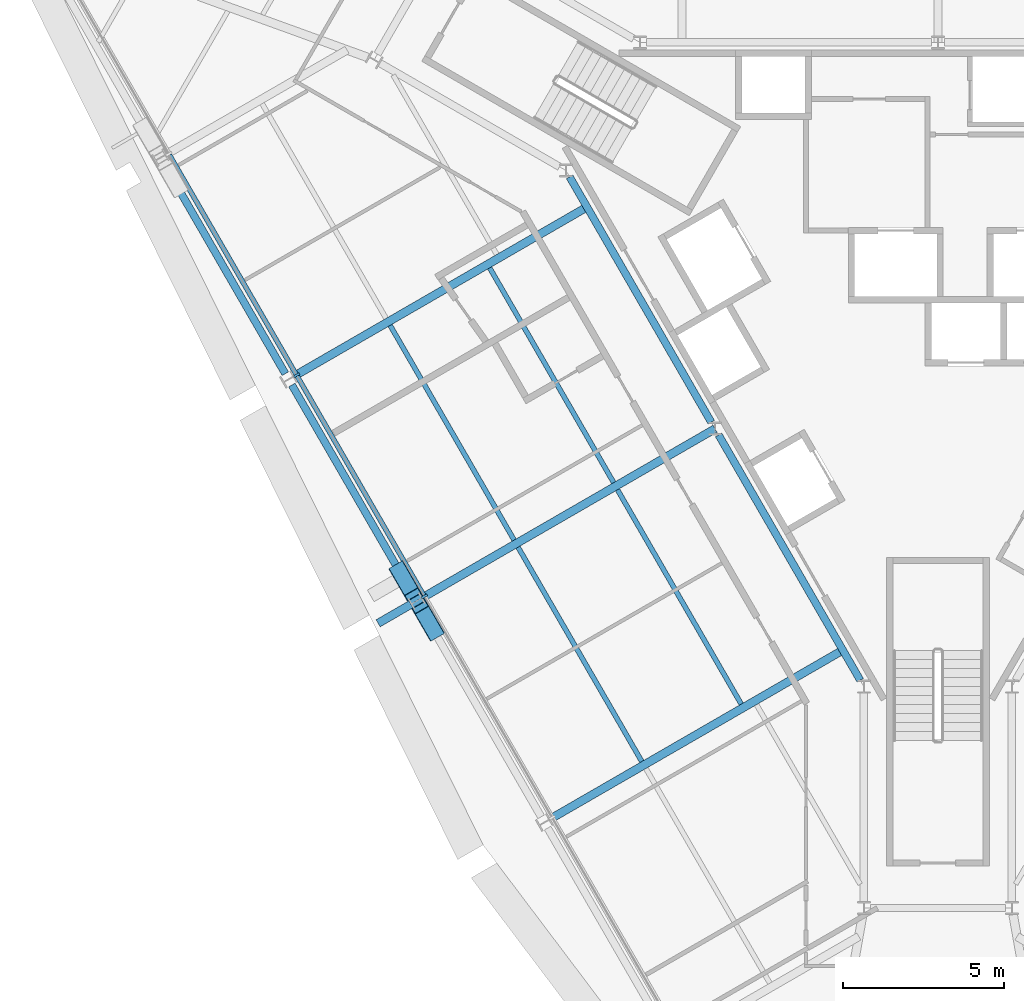
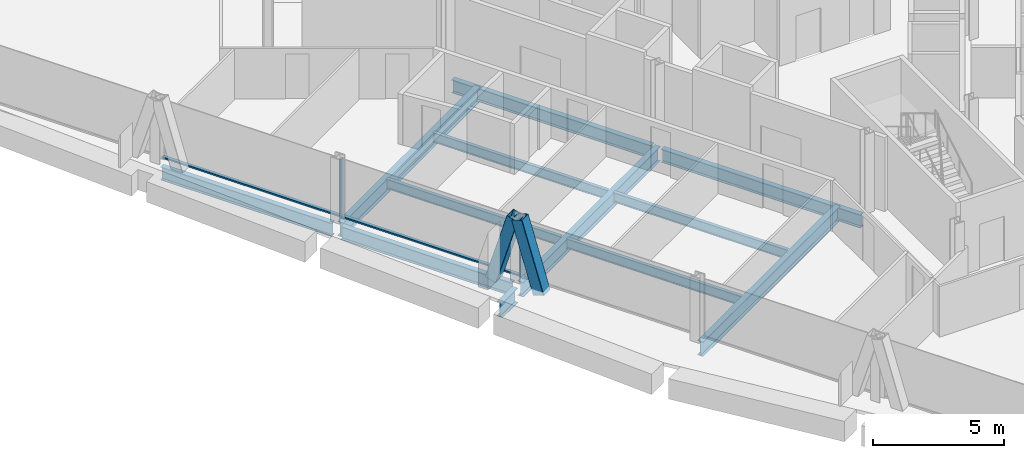
# One storey, part 4 of 14: 12 beams, 6 members, 1 element without a shape of its own.
"""IFC4 building model written with IfcOpenShell, lengths in metres."""

from ifc_helpers import new_model, si_unit, direction, frame, origin, origin_2d, place, context, subcontext, project, spatial, rectangle, hollow_rectangle, i_section, extrude, material, material_profile, profile_set, type_object, element, aggregate, save


model = new_model("IFC4")

# Units and contexts
model_context = context("Model", 3, precision=1e-05, world=origin(), true_north=direction((0.0, 1.0)))
body_context = subcontext(model_context, "Body", "Model", "MODEL_VIEW")
ifc_project = project(units=[si_unit("LENGTHUNIT", "METRE"), si_unit("AREAUNIT", "SQUARE_METRE"), si_unit("VOLUMEUNIT", "CUBIC_METRE"), si_unit("PLANEANGLEUNIT", "RADIAN"), si_unit("MASSUNIT", "GRAM", prefix="KILO")], contexts=[model_context])

# Site, building, storey
site_placement = place(None, origin())
site = spatial("IfcSite", under=ifc_project, at=site_placement, CompositionType="ELEMENT")
building_placement = place(site_placement, origin())
building = spatial("IfcBuilding", under=site, at=building_placement, Name="Verrane Prism Tower", CompositionType="ELEMENT")
storey_placement = place(building_placement, frame((0.0, 0.0, 196.89990234375)))
storey = spatial("IfcBuildingStorey", under=building, at=storey_placement, Name="L49", CompositionType="ELEMENT", Elevation=196.89990234375)

# Beams
ifc_material_1 = material(Name="Steel A992", Category="steel")
ifc_material_profile_1 = material_profile(ifc_material_1, i_section(OverallWidth=0.23046875, OverallDepth=0.6171875, WebThickness=0.01318359375, FlangeThickness=0.022216796875, FilletRadius=0.012939453125, at=origin_2d()), Name="W24x94")
ifc_profile_set_1 = profile_set([ifc_material_profile_1], Name="Steel A992")
beam_type_1 = type_object("IfcBeamType", Name="Core ring girder W24x94", PredefinedType="BEAM", material=ifc_profile_set_1)
beam_1_placement = place(storey_placement, frame((-11.44482421875, 3.820556640625, -0.55859375), z_axis=(0.499967414725, -0.866044216084, 0.0), x_axis=(0.866044216084, 0.499967414725, 0.0)))
element("IfcBeam", 1, at=beam_1_placement, inside=storey, type_object=beam_type_1, Name="Core ring girder L49", PredefinedType="BEAM", context=body_context, shape_type="SweptSolid", body=[
    extrude(i_section(OverallWidth=0.23046875, OverallDepth=0.6171875, WebThickness=0.01318359375, FlangeThickness=0.022216796875, FilletRadius=0.012939453125, at=origin_2d()), origin(), (0.0, 0.0, 1.0), 8.7998046875),
])
beam_2_placement = place(storey_placement, frame((-6.81494140625, -4.199462890625, -0.55859375), z_axis=(0.499988222896, -0.866032203192, 0.0), x_axis=(0.866032203192, 0.499988222896, 0.0)))
element("IfcBeam", 2, at=beam_2_placement, inside=storey, type_object=beam_type_1, Name="Core ring girder L49", PredefinedType="BEAM", context=body_context, shape_type="SweptSolid", body=[
    extrude(i_section(OverallWidth=0.23046875, OverallDepth=0.6171875, WebThickness=0.01318359375, FlangeThickness=0.022216796875, FilletRadius=0.012939453125, at=origin_2d()), origin(), (0.0, 0.0, 1.0), 8.800048828125),
])

# Members
ifc_material_2 = material(Name="Steel A500 Grade C", Category="steel")
ifc_material_profile_2 = material_profile(ifc_material_2, hollow_rectangle(XDim=0.508056640625, YDim=0.508056640625, WallThickness=0.01904296875, InnerFilletRadius=0.009521484375, OuterFilletRadius=0.028564453125, at=origin_2d()), Name="HSS20x20x3/4")
ifc_profile_set_2 = profile_set([ifc_material_profile_2], Name="Steel A500 Grade C")
member_type_1 = type_object("IfcMemberType", Name="Facade brace HSS20x20x3/4", PredefinedType="BRACE", material=ifc_profile_set_2)
member_1_placement = place(storey_placement, frame((-16.73046875, -8.441650390625, -0.216552734375), z_axis=(0.144493138728, -0.250347034462, 0.957312955724), x_axis=(0.866092491567, 0.499883782545, 0.0)))
element("IfcMember", 3, at=member_1_placement, inside=storey, type_object=member_type_1, Name="Facade brace SW2 L49", PredefinedType="BRACE", context=body_context, shape_type="SweptSolid", body=[
    extrude(hollow_rectangle(XDim=0.508056640625, YDim=0.508056640625, WallThickness=0.01904296875, InnerFilletRadius=0.009521484375, OuterFilletRadius=0.028564453125, at=origin_2d()), origin(), (0.0, 0.0, 1.0), 3.323486328125),
])
member_2_placement = place(storey_placement, frame((-15.671142578125, -10.2763671875, -0.216552734375), z_axis=(-0.145778572532, 0.252359885381, 0.956589303746), x_axis=(-0.865908710228, -0.500202064721, 0.0)))
element("IfcMember", 4, at=member_2_placement, inside=storey, type_object=member_type_1, Name="Facade brace SW3 L49", PredefinedType="BRACE", context=body_context, shape_type="SweptSolid", body=[
    extrude(hollow_rectangle(XDim=0.508056640625, YDim=0.508056640625, WallThickness=0.01904296875, InnerFilletRadius=0.009521484375, OuterFilletRadius=0.028564453125, at=origin_2d()), origin(), (0.0, 0.0, 1.0), 3.325927734375),
])

# Beams
ifc_material_3 = material(Name="Steel A992", Category="steel")
ifc_material_profile_3 = material_profile(ifc_material_3, i_section(OverallWidth=0.15234375, OverallDepth=0.449462890625, WebThickness=0.007568359375, FlangeThickness=0.0107421875, FilletRadius=0.01025390625, at=origin_2d()), Name="W18x35")
ifc_profile_set_3 = profile_set([ifc_material_profile_3], Name="Steel A992")
beam_type_2 = type_object("IfcBeamType", Name="Floor beam W18x35", PredefinedType="BEAM", material=ifc_profile_set_3)
beam_3_placement = place(storey_placement, frame((-10.0771484375, -5.6796875, -0.384765625), z_axis=(-0.499983011228, 0.866035212034, 0.0), x_axis=(-0.866035212034, -0.499983011228, 0.0)))
element("IfcBeam", 5, at=beam_3_placement, inside=storey, type_object=beam_type_2, Name="Floor beam L49", PredefinedType="BEAM", context=body_context, shape_type="SweptSolid", body=[
    extrude(i_section(OverallWidth=0.15234375, OverallDepth=0.449462890625, WebThickness=0.007568359375, FlangeThickness=0.0107421875, FilletRadius=0.01025390625, at=origin_2d()), origin(), (0.0, 0.0, 1.0), 7.705322265625),
])
beam_4_placement = place(storey_placement, frame((-13.171142578125, -7.46533203125, -0.384765625), z_axis=(-0.499990362368, 0.866030968003, 0.0), x_axis=(-0.866030968003, -0.499990362368, 0.0)))
element("IfcBeam", 6, at=beam_4_placement, inside=storey, type_object=beam_type_2, Name="Floor beam L49", PredefinedType="BEAM", context=body_context, shape_type="SweptSolid", body=[
    extrude(i_section(OverallWidth=0.15234375, OverallDepth=0.449462890625, WebThickness=0.007568359375, FlangeThickness=0.0107421875, FilletRadius=0.01025390625, at=origin_2d()), origin(), (0.0, 0.0, 1.0), 7.704345703125),
])
for number, where, z_axis, x_axis, name in (
    (7, (-6.1123046875, -12.562744140625, -0.384765625), (-0.500004621041, 0.866022735809, 0.0), (-0.866022735809, -0.500004621041, 0.0), "Floor beam L49"),
    (8, (-9.202880859375, -14.346435546875, -0.384765625), (-0.500004621041, 0.866022735809, 0.0), (-0.866022735809, -0.500004621041, 0.0), "Floor beam L49"),
):
    element("IfcBeam", number, at=place(storey_placement, frame(where, z_axis=z_axis, x_axis=x_axis)), inside=storey, type_object=beam_type_2, Name=name, PredefinedType="BEAM", context=body_context, shape_type="SweptSolid", body=[
        extrude(i_section(OverallWidth=0.15234375, OverallDepth=0.449462890625, WebThickness=0.007568359375, FlangeThickness=0.0107421875, FilletRadius=0.01025390625, at=origin_2d()), origin(), (0.0, 0.0, 1.0), 7.689453125),
    ])

# Curtain wall, members
ifc_material_4 = material(Name="Aluminium framed insulated glazing", Category="aluminium")
curtain_wall_type = type_object("IfcCurtainWallType", Name="Curtain wall CW-A 8400 module", PredefinedType="NOTDEFINED", material=ifc_material_4)
curtain_wall_placement = place(storey_placement, origin())
curtain_wall = element("IfcCurtainWall", 9, at=curtain_wall_placement, inside=storey, type_object=curtain_wall_type, Name="Glazed curtain wall south-west face L49", PredefinedType="NOTDEFINED")
ifc_material_5 = material(Name="Aluminium alloy 6063-T6", Category="aluminium")
ifc_material_profile_4 = material_profile(ifc_material_5, rectangle(XDim=0.199951171875, YDim=0.070068359375, at=origin_2d()), Name="Mullion 70x200 aluminium")
ifc_profile_set_4 = profile_set([ifc_material_profile_4], Name="Aluminium alloy 6063-T6")
member_type_2 = type_object("IfcMemberType", Name="Mullion 70x200 aluminium", PredefinedType="MULLION", material=ifc_profile_set_4)
member_3_placement = place(storey_placement, frame((-19.9306640625, -2.34130859375, 0.0), z_axis=(0.0, 0.0, 1.0), x_axis=(0.866025652206, 0.499999569721, 0.0)))
member_3 = element("IfcMember", 10, at=member_3_placement, type_object=member_type_2, Name="CW47.4 mullion 3", PredefinedType="MULLION", context=body_context, shape_type="SweptSolid", body=[
    extrude(rectangle(XDim=0.199951171875, YDim=0.070068359375, at=origin_2d()), origin(), (0.0, 0.0, 1.0), 2.712890625),
])
member_4_placement = place(storey_placement, frame((-15.961669921875, -9.215576171875, 0.0), z_axis=(0.0, 0.0, 1.0), x_axis=(0.866025652206, 0.499999569721, 0.0)))
member_4 = element("IfcMember", 11, at=member_4_placement, type_object=member_type_2, Name="CW47.4 mullion 4", PredefinedType="MULLION", context=body_context, shape_type="SweptSolid", body=[
    extrude(rectangle(XDim=0.199951171875, YDim=0.070068359375, at=origin_2d()), origin(), (0.0, 0.0, 1.0), 2.712890625),
])

# Beams
ifc_material_6 = material(Name="Steel A992", Category="steel")
ifc_material_profile_5 = material_profile(ifc_material_6, i_section(OverallWidth=0.25390625, OverallDepth=0.683349609375, WebThickness=0.012451171875, FlangeThickness=0.01904296875, FilletRadius=0.01513671875, at=origin_2d()), Name="W27x94")
ifc_profile_set_5 = profile_set([ifc_material_profile_5], Name="Steel A992")
beam_type_3 = type_object("IfcBeamType", Name="Radial girder W27x94", PredefinedType="BEAM", material=ifc_profile_set_5)
beam_5_placement = place(storey_placement, frame((-19.99951171875, -2.365966796875, -0.5615234375), z_axis=(0.866019889578, 0.500009550764, 0.0), x_axis=(-0.500009550764, 0.866019889578, 0.0)))
element("IfcBeam", 12, at=beam_5_placement, inside=storey, type_object=beam_type_3, Name="Radial girder L49", PredefinedType="BEAM", context=body_context, shape_type="SweptSolid", body=[
    extrude(i_section(OverallWidth=0.25390625, OverallDepth=0.683349609375, WebThickness=0.012451171875, FlangeThickness=0.01904296875, FilletRadius=0.01513671875, at=origin_2d()), origin(), (0.0, 0.0, 1.0), 10.501708984375),
])
beam_6_placement = place(storey_placement, frame((-16.01953125, -9.255859375, -0.5615234375), z_axis=(0.866029539658, 0.499992836388, 0.0), x_axis=(-0.499992836388, 0.866029539658, 0.0)))
element("IfcBeam", 13, at=beam_6_placement, inside=storey, type_object=beam_type_3, Name="Radial girder L49", PredefinedType="BEAM", context=body_context, shape_type="SweptSolid", body=[
    extrude(i_section(OverallWidth=0.25390625, OverallDepth=0.683349609375, WebThickness=0.012451171875, FlangeThickness=0.01904296875, FilletRadius=0.01513671875, at=origin_2d()), origin(), (0.0, 0.0, 1.0), 10.499755859375),
])
beam_7_placement = place(storey_placement, frame((-12.049560546875, -16.135986328125, -0.5615234375), z_axis=(0.866024144196, 0.500002181665, 0.0), x_axis=(-0.500002181665, 0.866024144196, 0.0)))
element("IfcBeam", 14, at=beam_7_placement, inside=storey, type_object=beam_type_3, Name="Radial girder L49", PredefinedType="BEAM", context=body_context, shape_type="SweptSolid", body=[
    extrude(i_section(OverallWidth=0.25390625, OverallDepth=0.683349609375, WebThickness=0.012451171875, FlangeThickness=0.01904296875, FilletRadius=0.01513671875, at=origin_2d()), origin(), (0.0, 0.0, 1.0), 10.50146484375),
])
beam_8_placement = place(storey_placement, frame((-16.376953125, -9.462158203125, -0.5615234375), z_axis=(-0.8660508054, -0.499956000529, 0.0), x_axis=(0.499956000529, -0.8660508054, 0.0)))
element("IfcBeam", 15, at=beam_8_placement, inside=storey, type_object=beam_type_3, Name="Cantilever girder L49", PredefinedType="BEAM", context=body_context, shape_type="SweptSolid", body=[
    extrude(i_section(OverallWidth=0.25390625, OverallDepth=0.683349609375, WebThickness=0.012451171875, FlangeThickness=0.01904296875, FilletRadius=0.01513671875, at=origin_2d()), origin(), (0.0, 0.0, 1.0), 1.17626953125),
])
ifc_material_7 = material(Name="Steel A992", Category="steel")
ifc_material_profile_6 = material_profile(ifc_material_7, i_section(OverallWidth=0.23046875, OverallDepth=0.6171875, WebThickness=0.01318359375, FlangeThickness=0.022216796875, FilletRadius=0.012939453125, at=origin_2d()), Name="W24x94")
ifc_profile_set_6 = profile_set([ifc_material_profile_6], Name="Steel A992")
beam_type_4 = type_object("IfcBeamType", Name="Spandrel beam W24x94", PredefinedType="SPANDREL", material=ifc_profile_set_6)
beam_9_placement = place(storey_placement, frame((-24.058349609375, 4.243896484375, -0.468505859375), z_axis=(0.500221570343, -0.865897442289, 0.0), x_axis=(0.865897442289, 0.500221570343, 0.0)))
element("IfcBeam", 16, at=beam_9_placement, inside=storey, type_object=beam_type_4, Name="Spandrel beam L49", PredefinedType="SPANDREL", context=body_context, shape_type="SweptSolid", body=[
    extrude(i_section(OverallWidth=0.23046875, OverallDepth=0.6171875, WebThickness=0.01318359375, FlangeThickness=0.022216796875, FilletRadius=0.012939453125, at=origin_2d()), origin(), (0.0, 0.0, 1.0), 7.55029296875),
])
beam_10_placement = place(storey_placement, frame((-20.078369140625, -2.64599609375, -0.468505859375), z_axis=(0.500207565094, -0.865905532852, 0.0), x_axis=(0.865905532852, 0.500207565094, 0.0)))
element("IfcBeam", 17, at=beam_10_placement, inside=storey, type_object=beam_type_4, Name="Spandrel beam L49", PredefinedType="SPANDREL", context=body_context, shape_type="SweptSolid", body=[
    extrude(i_section(OverallWidth=0.23046875, OverallDepth=0.6171875, WebThickness=0.01318359375, FlangeThickness=0.022216796875, FilletRadius=0.012939453125, at=origin_2d()), origin(), (0.0, 0.0, 1.0), 7.550537109375),
])

# Member
ifc_material_8 = material(Name="Aluminium alloy 6063-T6", Category="aluminium")
ifc_material_profile_7 = material_profile(ifc_material_8, rectangle(XDim=0.14990234375, YDim=0.070068359375, at=origin_2d()), Name="Transom 70x150 aluminium")
ifc_profile_set_7 = profile_set([ifc_material_profile_7], Name="Aluminium alloy 6063-T6")
member_type_3 = type_object("IfcMemberType", Name="Transom 70x150 aluminium", PredefinedType="USERDEFINED", material=ifc_profile_set_7)
member_5_placement = place(storey_placement, frame((-23.8818359375, 4.502685546875, 0.03515625), z_axis=(0.49999374744, -0.866029013672, 0.0), x_axis=(0.866029013672, 0.49999374744, 0.0)))
member_5 = element("IfcMember", 18, at=member_5_placement, type_object=member_type_3, Name="CW47.4 transom 2", ObjectType="TRANSOM", PredefinedType="USERDEFINED", context=body_context, shape_type="SweptSolid", body=[
    extrude(rectangle(XDim=0.14990234375, YDim=0.070068359375, at=origin_2d()), origin(), (0.0, 0.0, 1.0), 7.86767578125),
])

member_6_placement = place(storey_placement, frame((-19.9130859375, -2.37158203125, 0.03515625), z_axis=(0.49999374744, -0.866029013672, 0.0), x_axis=(0.866029013672, 0.49999374744, 0.0)))
member_6 = element("IfcMember", 19, at=member_6_placement, type_object=member_type_3, Name="CW47.4 transom 3", ObjectType="TRANSOM", PredefinedType="USERDEFINED", context=body_context, shape_type="SweptSolid", body=[
    extrude(rectangle(XDim=0.14990234375, YDim=0.070068359375, at=origin_2d()), origin(), (0.0, 0.0, 1.0), 7.86767578125),
])

aggregate(curtain_wall, [member_3, member_4, member_5, member_6])

save(model, "model.ifc")
